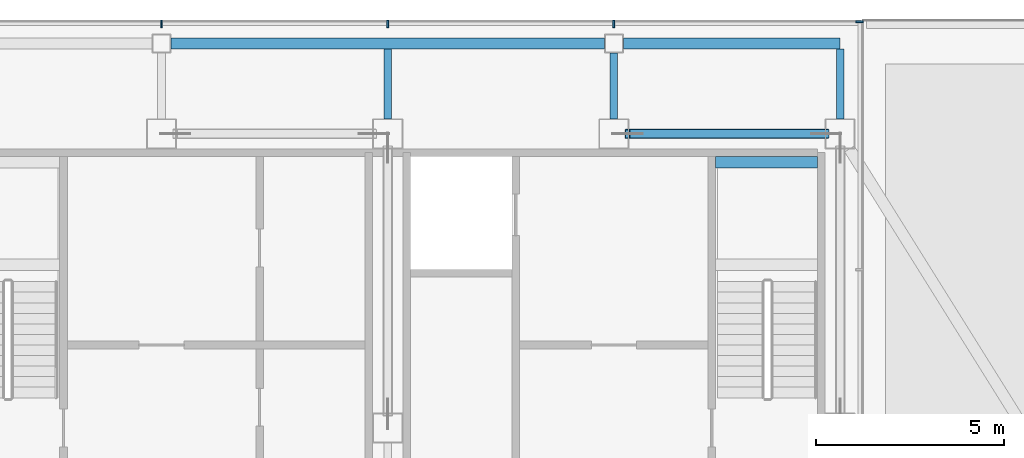
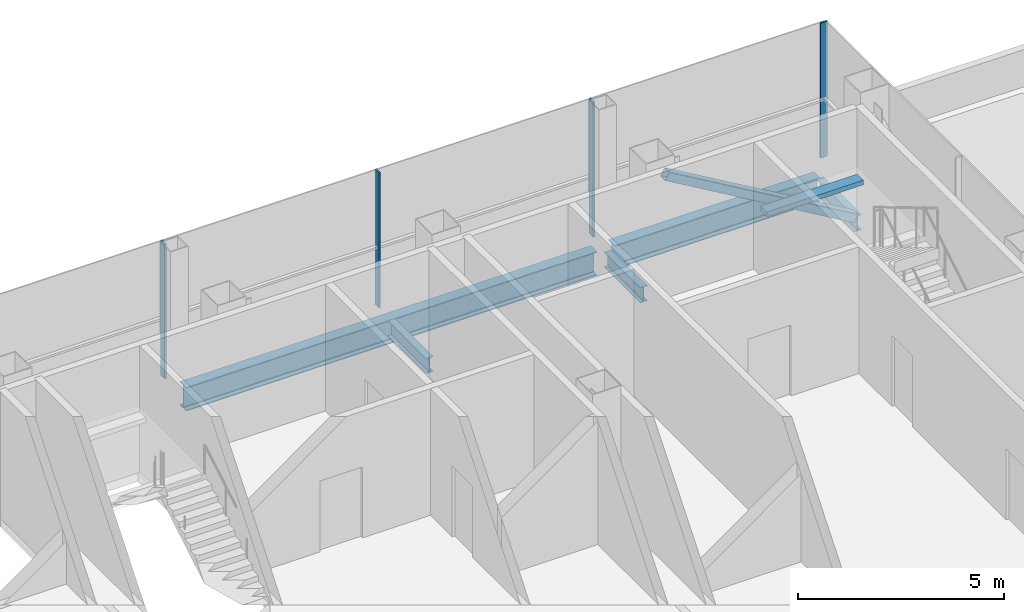
# One storey, part 11 of 17: 6 beams, 5 members, 2 elements without a shape of their own.
"""IFC4 building model written with IfcOpenShell, lengths in metres."""

from ifc_helpers import new_model, si_unit, direction, frame, origin, origin_2d, place, context, subcontext, project, spatial, rectangle, hollow_rectangle, i_section, extrude, material, material_profile, profile_set, type_object, element, aggregate, save


model = new_model("IFC4")

# Units and contexts
model_context = context("Model", 3, precision=1e-05, world=origin(), true_north=direction((0.0, 1.0)))
body_context = subcontext(model_context, "Body", "Model", "MODEL_VIEW")
ifc_project = project(units=[si_unit("LENGTHUNIT", "METRE"), si_unit("AREAUNIT", "SQUARE_METRE"), si_unit("VOLUMEUNIT", "CUBIC_METRE"), si_unit("PLANEANGLEUNIT", "RADIAN"), si_unit("MASSUNIT", "GRAM", prefix="KILO")], contexts=[model_context])

# Site, building, storey
site_placement = place(None, origin())
site = spatial("IfcSite", under=ifc_project, at=site_placement, CompositionType="ELEMENT")
building_placement = place(site_placement, origin())
building = spatial("IfcBuilding", under=site, at=building_placement, Name="Sorahane Residences", CompositionType="ELEMENT")
storey_placement = place(building_placement, frame((0.0, 0.0, 341.800048828125)))
storey = spatial("IfcBuildingStorey", under=building, at=storey_placement, Name="L81", CompositionType="ELEMENT", Elevation=341.800048828125)

# Member
ifc_material_1 = material(Name="Steel Q355B", Category="steel")
ifc_material_profile_1 = material_profile(ifc_material_1, hollow_rectangle(XDim=0.25, YDim=0.25, WallThickness=0.011962890625, InnerFilletRadius=0.006103515625, OuterFilletRadius=0.01806640625, at=origin_2d()), Name="RHS 250x250x12")
ifc_profile_set_1 = profile_set([ifc_material_profile_1], Name="Steel Q355B")
member_type_1 = type_object("IfcMemberType", Name="Core brace RHS 250x250x12 Q355B", PredefinedType="BRACE", material=ifc_profile_set_1)
member_1_placement = place(storey_placement, frame((41.637939453125, 45.60009765625, 0.102783203125), z_axis=(-0.862574842184, 0.0, 0.505929482864), x_axis=(0.0, -1.0, 0.0)))
element("IfcMember", 1, at=member_1_placement, inside=storey, type_object=member_type_1, Name="Core brace L81 y45.6-6", PredefinedType="BRACE", context=body_context, shape_type="SweptSolid", body=[
    extrude(hollow_rectangle(XDim=0.25, YDim=0.25, WallThickness=0.011962890625, InnerFilletRadius=0.006103515625, OuterFilletRadius=0.01806640625, at=origin_2d()), origin(), (0.0, 0.0, 1.0), 6.116455078125),
])

# Curtain wall, member
ifc_material_2 = material(Name="Dark low-e glass and black anodised aluminium", Category="aluminium")
curtain_wall_type = type_object("IfcCurtainWallType", Name="Curtain wall CW-6 Crown unitised wall", PredefinedType="NOTDEFINED", material=ifc_material_2)
curtain_wall_1_placement = place(storey_placement, origin())
curtain_wall_1 = element("IfcCurtainWall", 2, at=curtain_wall_1_placement, inside=storey, type_object=curtain_wall_type, Name="CW-6 curtain wall L81 E1", PredefinedType="NOTDEFINED")
ifc_material_3 = material(Name="Black anodised aluminium", Category="aluminium")
ifc_material_profile_2 = material_profile(ifc_material_3, rectangle(XDim=0.199951171875, YDim=0.050048828125, at=origin_2d()), Name="Curtain wall mullion CW-6 black anodised aluminium 50x200")
ifc_profile_set_2 = profile_set([ifc_material_profile_2], Name="Black anodised aluminium")
member_type_2 = type_object("IfcMemberType", Name="Curtain wall mullion CW-6 black anodised aluminium 50x200", PredefinedType="MULLION", material=ifc_profile_set_2)
member_2_placement = place(storey_placement, frame((42.52001953125, 48.574951171875, -0.25), z_axis=(0.0, 0.0, 1.0), x_axis=(1.0, 0.0, 0.0)))
member_2 = element("IfcMember", 3, at=member_2_placement, type_object=member_type_2, Name="CW-6 mullion L81 E1.6", PredefinedType="MULLION", context=body_context, shape_type="SweptSolid", body=[
    extrude(rectangle(XDim=0.199951171875, YDim=0.050048828125, at=origin_2d()), origin(), (0.0, 0.0, 1.0), 4.0),
])
aggregate(curtain_wall_1, [member_2])

# Curtain wall, members
curtain_wall_2_placement = place(storey_placement, origin())
curtain_wall_2 = element("IfcCurtainWall", 4, at=curtain_wall_2_placement, inside=storey, type_object=curtain_wall_type, Name="CW-6 curtain wall L81 N1", PredefinedType="NOTDEFINED")
member_3_placement = place(storey_placement, frame((36.0, 48.52001953125, -0.25), z_axis=(0.0, 0.0, 1.0), x_axis=(0.0, 1.0, 0.0)))
member_3 = element("IfcMember", 5, at=member_3_placement, type_object=member_type_2, Name="CW-6 mullion L81 N1.2", PredefinedType="MULLION", context=body_context, shape_type="SweptSolid", body=[
    extrude(rectangle(XDim=0.199951171875, YDim=0.050048828125, at=origin_2d()), origin(), (0.0, 0.0, 1.0), 4.0),
])
member_4_placement = place(storey_placement, frame((30.0, 48.52001953125, -0.25), z_axis=(0.0, 0.0, 1.0), x_axis=(0.0, 1.0, 0.0)))
member_4 = element("IfcMember", 6, at=member_4_placement, type_object=member_type_2, Name="CW-6 mullion L81 N1.3", PredefinedType="MULLION", context=body_context, shape_type="SweptSolid", body=[
    extrude(rectangle(XDim=0.199951171875, YDim=0.050048828125, at=origin_2d()), origin(), (0.0, 0.0, 1.0), 4.0),
])
member_5_placement = place(storey_placement, frame((24.0, 48.52001953125, -0.25), z_axis=(0.0, 0.0, 1.0), x_axis=(0.0, 1.0, 0.0)))
member_5 = element("IfcMember", 7, at=member_5_placement, type_object=member_type_2, Name="CW-6 mullion L81 N1.4", PredefinedType="MULLION", context=body_context, shape_type="SweptSolid", body=[
    extrude(rectangle(XDim=0.199951171875, YDim=0.050048828125, at=origin_2d()), origin(), (0.0, 0.0, 1.0), 4.0),
])
aggregate(curtain_wall_2, [member_3, member_4, member_5])

# Beams
ifc_material_4 = material(Name="Concrete C40", Category="concrete")
ifc_material_profile_3 = material_profile(ifc_material_4, rectangle(XDim=0.300048828125, YDim=0.139892578125, at=origin_2d()), Name="300x140")
ifc_profile_set_3 = profile_set([ifc_material_profile_3], Name="Concrete C40")
beam_type_1 = type_object("IfcBeamType", Name="RC landing beam 300 x 140 Concrete C40", PredefinedType="BEAM", material=ifc_profile_set_3)
beam_1_placement = place(storey_placement, frame((38.699951171875, 44.85009765625, 1.72998046875), z_axis=(1.0, 0.0, 0.0), x_axis=(0.0, 1.0, 0.0)))
element("IfcBeam", 8, at=beam_1_placement, inside=storey, type_object=beam_type_1, Name="Landing beam", PredefinedType="BEAM", context=body_context, shape_type="SweptSolid", body=[
    extrude(rectangle(XDim=0.300048828125, YDim=0.139892578125, at=origin_2d()), origin(), (0.0, 0.0, 1.0), 2.699951171875),
])
ifc_material_5 = material(Name="Steel Q355B", Category="steel")
ifc_material_profile_4 = material_profile(ifc_material_5, i_section(OverallWidth=0.199951171875, OverallDepth=0.449951171875, WebThickness=0.009033203125, FlangeThickness=0.013916015625, FilletRadius=0.02001953125, at=origin_2d()), Name="HN 450x200x9x14")
ifc_profile_set_4 = profile_set([ifc_material_profile_4], Name="Steel Q355B")
beam_type_2 = type_object("IfcBeamType", Name="Steel floor beam HN 450x200x9x14 Q355B", PredefinedType="BEAM", material=ifc_profile_set_4)
beam_2_placement = place(storey_placement, frame((30.0, 46.0, -0.47509765625), z_axis=(0.0, 1.0, 0.0), x_axis=(-1.0, 0.0, 0.0)))
element("IfcBeam", 9, at=beam_2_placement, inside=storey, type_object=beam_type_2, Name="Beam L81 032", PredefinedType="BEAM", context=body_context, shape_type="SweptSolid", body=[
    extrude(i_section(OverallWidth=0.199951171875, OverallDepth=0.449951171875, WebThickness=0.009033203125, FlangeThickness=0.013916015625, FilletRadius=0.02001953125, at=origin_2d()), origin(), (0.0, 0.0, 1.0), 1.85009765625),
])
beam_3_placement = place(storey_placement, frame((36.0, 46.0, -0.47509765625), z_axis=(0.0, 1.0, 0.0), x_axis=(-1.0, 0.0, 0.0)))
element("IfcBeam", 10, at=beam_3_placement, inside=storey, type_object=beam_type_2, Name="Beam L81 033", PredefinedType="BEAM", context=body_context, shape_type="SweptSolid", body=[
    extrude(i_section(OverallWidth=0.199951171875, OverallDepth=0.449951171875, WebThickness=0.009033203125, FlangeThickness=0.013916015625, FilletRadius=0.02001953125, at=origin_2d()), origin(), (0.0, 0.0, 1.0), 1.75),
])
beam_4_placement = place(storey_placement, frame((42.0, 46.000244140625, -0.47509765625), z_axis=(0.0, 1.0, 0.0), x_axis=(-1.0, 0.0, 0.0)))
element("IfcBeam", 11, at=beam_4_placement, inside=storey, type_object=beam_type_2, Name="Beam L81 049", PredefinedType="BEAM", context=body_context, shape_type="SweptSolid", body=[
    extrude(i_section(OverallWidth=0.199951171875, OverallDepth=0.449951171875, WebThickness=0.009033203125, FlangeThickness=0.013916015625, FilletRadius=0.02001953125, at=origin_2d()), origin(), (0.0, 0.0, 1.0), 1.849609375),
])
ifc_material_6 = material(Name="Steel Q355B", Category="steel")
ifc_material_profile_5 = material_profile(ifc_material_6, i_section(OverallWidth=0.300048828125, OverallDepth=0.699951171875, WebThickness=0.012939453125, FlangeThickness=0.02392578125, FilletRadius=0.028076171875, at=origin_2d()), Name="HN 700x300x13x24")
ifc_profile_set_5 = profile_set([ifc_material_profile_5], Name="Steel Q355B")
beam_type_3 = type_object("IfcBeamType", Name="Steel floor beam HN 700x300x13x24 Q355B", PredefinedType="BEAM", material=ifc_profile_set_5)
beam_5_placement = place(storey_placement, frame((24.25, 48.0, -0.60009765625), z_axis=(1.0, 0.0, 0.0), x_axis=(0.0, 1.0, 0.0)))
element("IfcBeam", 12, at=beam_5_placement, inside=storey, type_object=beam_type_3, Name="Beam L81 007", PredefinedType="BEAM", context=body_context, shape_type="SweptSolid", body=[
    extrude(i_section(OverallWidth=0.300048828125, OverallDepth=0.699951171875, WebThickness=0.012939453125, FlangeThickness=0.02392578125, FilletRadius=0.028076171875, at=origin_2d()), origin(), (0.0, 0.0, 1.0), 11.5),
])
beam_6_placement = place(storey_placement, frame((36.25, 48.0, -0.60009765625), z_axis=(1.0, 0.0, 0.0), x_axis=(0.0, 1.0, 0.0)))
element("IfcBeam", 13, at=beam_6_placement, inside=storey, type_object=beam_type_3, Name="Beam L81 009", PredefinedType="BEAM", context=body_context, shape_type="SweptSolid", body=[
    extrude(i_section(OverallWidth=0.300048828125, OverallDepth=0.699951171875, WebThickness=0.012939453125, FlangeThickness=0.02392578125, FilletRadius=0.028076171875, at=origin_2d()), origin(), (0.0, 0.0, 1.0), 5.75),
])

save(model, "model.ifc")
